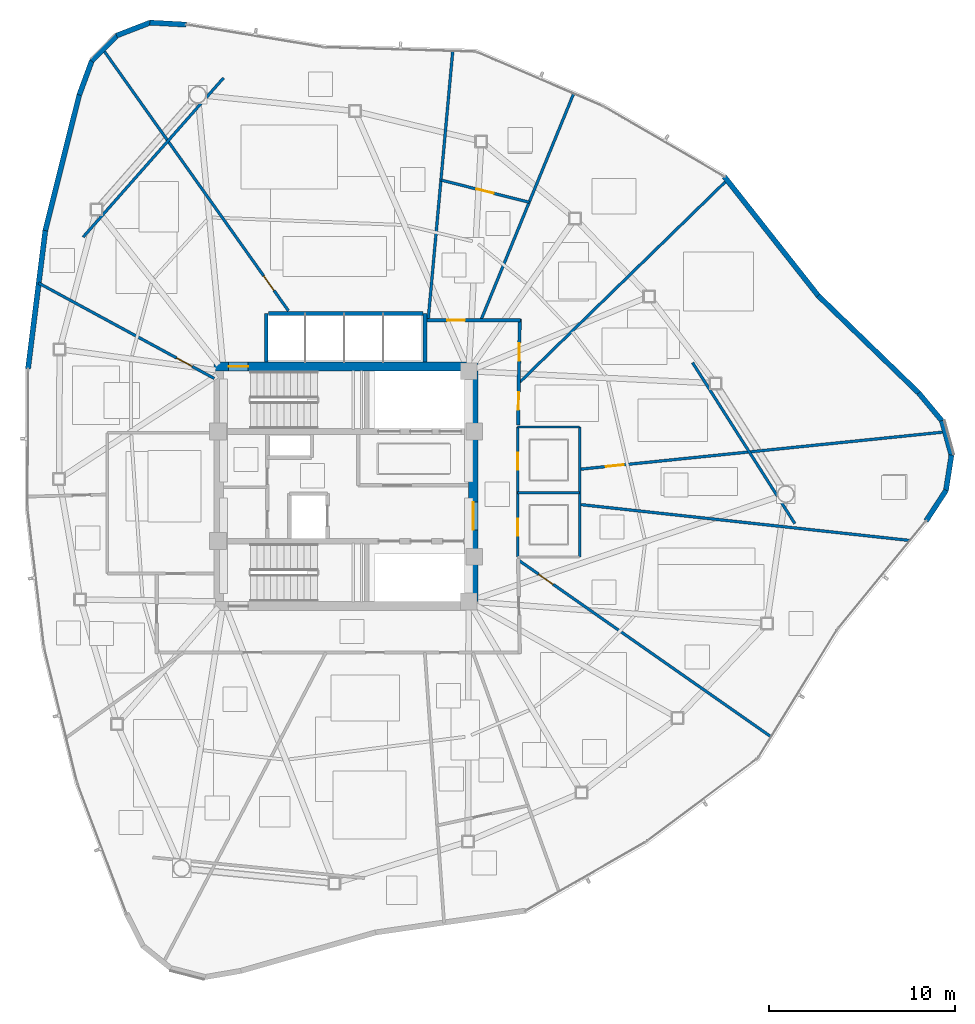
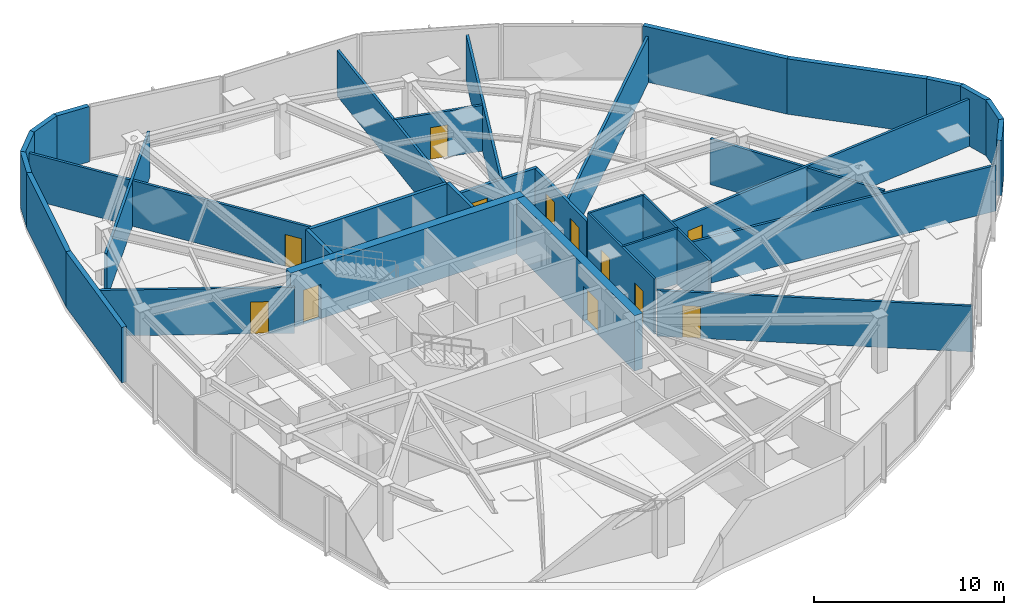
# One storey, part 13 of 18: 34 walls, 12 doors, 12 openings.
"""IFC4 building model written with IfcOpenShell, lengths in metres."""

from ifc_helpers import new_model, si_unit, direction, frame, frame_2d, origin, place, context, subcontext, project, spatial, rectangle, extrude, material, layer, layer_set, type_object, element, fill, save


model = new_model("IFC4")

# Units and contexts
model_context = context("Model", 3, precision=1e-05, world=origin(), true_north=direction((0.0, 1.0)))
body_context = subcontext(model_context, "Body", "Model", "MODEL_VIEW")
ifc_project = project(units=[si_unit("LENGTHUNIT", "METRE"), si_unit("AREAUNIT", "SQUARE_METRE"), si_unit("VOLUMEUNIT", "CUBIC_METRE"), si_unit("PLANEANGLEUNIT", "RADIAN"), si_unit("MASSUNIT", "GRAM", prefix="KILO")], contexts=[model_context])

# Site, building, storey
site_placement = place(None, origin())
site = spatial("IfcSite", under=ifc_project, at=site_placement, CompositionType="ELEMENT")
building_placement = place(site_placement, origin())
building = spatial("IfcBuilding", under=site, at=building_placement, Name="Tavelor Broadcast Tower", CompositionType="ELEMENT")
storey_placement = place(building_placement, frame((0.0, 0.0, 173.35009765625)))
storey = spatial("IfcBuildingStorey", under=building, at=storey_placement, Name="L41", CompositionType="ELEMENT", Elevation=173.35009765625)

# Wall, opening, door
ifc_material_1 = material(Name="Concrete C50/60", Category="concrete")
ifc_layer_1 = layer(ifc_material_1, 0.5)
ifc_layer_set_1 = layer_set([ifc_layer_1], Name="Concrete C50/60")
wall_type_1 = type_object("IfcWallType", Name="Core Shear Wall 500 mm", PredefinedType="SHEAR", material=ifc_layer_set_1)
wall_1_placement = place(storey_placement, frame((42.89990234375, 51.449951171875, 0.0), z_axis=(0.0, 0.0, 1.0), x_axis=(1.0, 0.0, 0.0)))
wall_1 = element("IfcWall", 1, at=wall_1_placement, inside=storey, type_object=wall_type_1, Name="L41 Central Core Shear Wall N", PredefinedType="SHEAR", context=body_context, shape_type="SweptSolid", body=[
    extrude(rectangle(XDim=14.2001953125, YDim=0.5, at=frame_2d((7.10009765625, 0.0))), origin(), (0.0, 0.0, 1.0), 3.5498046875),
])
opening_1_placement = place(wall_1_placement, frame((0.780029296875, 0.0, 0.0)))
opening_1 = element("IfcOpeningElement", 2, at=opening_1_placement, cuts=wall_1, Name="Opening DR11", PredefinedType="OPENING", context=body_context, shape_type="SweptSolid", body=[
    extrude(rectangle(XDim=1.050048828125, YDim=2.199951171875, at=frame_2d((0.52490234375, 1.10009765625))), frame((0.0, 0.260009765625, 0.0), z_axis=(0.0, -1.0, 0.0), x_axis=(1.0, 0.0, 0.0)), (0.0, 0.0, 1.0), 0.52001953125),
])
ifc_material_2 = material(Name="Steel S355", Category="steel")
door_type_1 = type_object("IfcDoorType", Name="Stair Core Fire Escape Door 1050x2200", OperationType="NOTDEFINED", PredefinedType="DOOR", material=ifc_material_2)
door_1_placement = place(opening_1_placement, origin())
door_1 = element("IfcDoor", 3, at=door_1_placement, inside=storey, type_object=door_type_1, Name="L41 Stair ST1 Protected Exit Door", OperationType="SINGLE_SWING_LEFT", OverallHeight=2.199951171875, OverallWidth=1.050048828125, PredefinedType="DOOR", context=body_context, shape_type="SweptSolid", body=[
    extrude(rectangle(XDim=1.050048828125, YDim=2.199951171875, at=frame_2d((0.52490234375, 1.10009765625))), frame((0.0, 0.02490234375, 0.0), z_axis=(0.0, -1.0, 0.0), x_axis=(1.0, 0.0, 0.0)), (0.0, 0.0, 1.0), 0.050048828125),
])
fill(opening_1, door_1)

wall_2_placement = place(storey_placement, frame((56.85009765625, 38.800048828125, 0.0), z_axis=(0.0, 0.0, 1.0), x_axis=(0.0, 1.0, 0.0)))
wall_2 = element("IfcWall", 4, at=wall_2_placement, inside=storey, type_object=wall_type_1, Name="L41 Central Core Shear Wall E", PredefinedType="SHEAR", context=body_context, shape_type="SweptSolid", body=[
    extrude(rectangle(XDim=12.39990234375, YDim=0.5, at=frame_2d((6.199951171875, 0.0))), origin(), (0.0, 0.0, 1.0), 3.5498046875),
])
opening_2_placement = place(wall_2_placement, frame((3.85009765625, 0.0, 0.0)))
opening_2 = element("IfcOpeningElement", 5, at=opening_2_placement, cuts=wall_2, Name="Opening DR14", PredefinedType="OPENING", context=body_context, shape_type="SweptSolid", body=[
    extrude(rectangle(XDim=1.5, YDim=2.199951171875, at=frame_2d((0.75, 1.10009765625))), frame((0.0, 0.260009765625, 0.0), z_axis=(0.0, -1.0, 0.0), x_axis=(1.0, 0.0, 0.0)), (0.0, 0.0, 1.0), 0.52001953125),
])
door_type_2 = type_object("IfcDoorType", Name="Firefighting Lobby Double Fire Door 1500x2200", OperationType="NOTDEFINED", PredefinedType="DOOR", material=ifc_material_2)
door_2_placement = place(opening_2_placement, origin())
door_2 = element("IfcDoor", 6, at=door_2_placement, inside=storey, type_object=door_type_2, Name="L41 Central Core Lobby Fire Door", OperationType="SINGLE_SWING_RIGHT", OverallHeight=2.199951171875, OverallWidth=1.5, PredefinedType="DOOR", context=body_context, shape_type="SweptSolid", body=[
    extrude(rectangle(XDim=1.5, YDim=2.199951171875, at=frame_2d((0.75, 1.10009765625))), frame((0.0, 0.02490234375, 0.0), z_axis=(0.0, -1.0, 0.0), x_axis=(1.0, 0.0, 0.0)), (0.0, 0.0, 1.0), 0.050048828125),
])
fill(opening_2, door_2)

ifc_material_3 = material(Name="Calcium Silicate Fire Board 180 mm", Category="gypsum")
ifc_layer_2 = layer(ifc_material_3, 0.179931640625)
ifc_layer_set_2 = layer_set([ifc_layer_2], Name="Calcium Silicate Fire Board 180 mm")
wall_type_2 = type_object("IfcWallType", Name="Fire-Rated Corridor Partition Wall 180 mm", PredefinedType="PARTITIONING", material=ifc_layer_set_2)
wall_3_placement = place(storey_placement, frame((54.300048828125, 53.949951171875, 0.0), z_axis=(0.0, 0.0, 1.0), x_axis=(1.0, 0.0, 0.0)))
wall_3 = element("IfcWall", 7, at=wall_3_placement, inside=storey, type_object=wall_type_2, Name="L41 Corridor Compartment Wall 01", PredefinedType="PARTITIONING", context=body_context, shape_type="SweptSolid", body=[
    extrude(rectangle(XDim=5.099853515625, YDim=0.179931640625, at=frame_2d((2.5498046875, 0.0))), origin(), (0.0, 0.0, 1.0), 2.934814453125),
])
opening_3_placement = place(wall_3_placement, frame((1.141845703125, 0.0, 0.0)))
opening_3 = element("IfcOpeningElement", 8, at=opening_3_placement, cuts=wall_3, Name="Opening DR18", PredefinedType="OPENING", context=body_context, shape_type="SweptSolid", body=[
    extrude(rectangle(XDim=0.949951171875, YDim=2.050048828125, at=frame_2d((0.47509765625, 1.02490234375))), frame((0.0, 0.10009765625, 0.0), z_axis=(0.0, -1.0, 0.0), x_axis=(1.0, 0.0, 0.0)), (0.0, 0.0, 1.0), 0.199951171875),
])
ifc_material_4 = material(Name="Timber Solid Core Hardwood", Category="wood")
door_type_3 = type_object("IfcDoorType", Name="Corridor Rated Compartment Door 950x2050", OperationType="NOTDEFINED", PredefinedType="DOOR", material=ifc_material_4)
door_3_placement = place(opening_3_placement, origin())
door_3 = element("IfcDoor", 9, at=door_3_placement, inside=storey, type_object=door_type_3, Name="L41 Documentary Research Study Door R14", OperationType="SINGLE_SWING_RIGHT", OverallHeight=2.050048828125, OverallWidth=0.949951171875, PredefinedType="DOOR", context=body_context, shape_type="SweptSolid", body=[
    extrude(rectangle(XDim=0.949951171875, YDim=2.050048828125, at=frame_2d((0.47509765625, 1.02490234375))), frame((0.0, 0.02490234375, 0.0), z_axis=(0.0, -1.0, 0.0), x_axis=(1.0, 0.0, 0.0)), (0.0, 0.0, 1.0), 0.050048828125),
])
fill(opening_3, door_3)

# Wall, openings, doors
wall_4_placement = place(storey_placement, frame((59.3505859375, 54.0, 0.0), z_axis=(0.0, 0.0, 1.0), x_axis=(-0.014903899768, -0.999888930718, 0.0)))
wall_4 = element("IfcWall", 10, at=wall_4_placement, inside=storey, type_object=wall_type_2, Name="L41 Corridor Compartment Wall 02", PredefinedType="PARTITIONING", context=body_context, shape_type="SweptSolid", body=[
    extrude(rectangle(XDim=5.70068359375, YDim=0.179931640625, at=frame_2d((2.850341796875, 0.0))), origin(), (0.0, 0.0, 1.0), 2.934814453125),
])
opening_4_placement = place(wall_4_placement, frame((1.29248046875, 0.0, 0.0)))
opening_4 = element("IfcOpeningElement", 11, at=opening_4_placement, cuts=wall_4, Name="Opening DR18", PredefinedType="OPENING", context=body_context, shape_type="SweptSolid", body=[
    extrude(rectangle(XDim=0.949951171875, YDim=2.050048828125, at=frame_2d((0.47509765625, 1.02490234375))), frame((0.0, 0.10009765625, 0.0), z_axis=(0.0, -1.0, 0.0), x_axis=(1.0, 0.0, 0.0)), (0.0, 0.0, 1.0), 0.199951171875),
])
opening_5_placement = place(wall_4_placement, frame((3.92724609375, 0.0, 0.0)))
opening_5 = element("IfcOpeningElement", 12, at=opening_5_placement, cuts=wall_4, Name="Opening DR18", PredefinedType="OPENING", context=body_context, shape_type="SweptSolid", body=[
    extrude(rectangle(XDim=0.949951171875, YDim=2.050048828125, at=frame_2d((0.47509765625, 1.02490234375))), frame((0.0, 0.10009765625, 0.0), z_axis=(0.0, -1.0, 0.0), x_axis=(1.0, 0.0, 0.0)), (0.0, 0.0, 1.0), 0.199951171875),
])
door_4_placement = place(opening_4_placement, origin())
door_4 = element("IfcDoor", 13, at=door_4_placement, inside=storey, type_object=door_type_3, Name="L41 Newsroom Huddle Room Door R9", OperationType="SINGLE_SWING_LEFT", OverallHeight=2.050048828125, OverallWidth=0.949951171875, PredefinedType="DOOR", context=body_context, shape_type="SweptSolid", body=[
    extrude(rectangle(XDim=0.949951171875, YDim=2.050048828125, at=frame_2d((0.47509765625, 1.02490234375))), frame((0.0, 0.02490234375, 0.0), z_axis=(0.0, -1.0, 0.0), x_axis=(1.0, 0.0, 0.0)), (0.0, 0.0, 1.0), 0.050048828125),
])
fill(opening_4, door_4)
door_5_placement = place(opening_5_placement, origin())
door_5 = element("IfcDoor", 14, at=door_5_placement, inside=storey, type_object=door_type_3, Name="L41 Editorial Quiet Study Door R10", OperationType="SINGLE_SWING_RIGHT", OverallHeight=2.050048828125, OverallWidth=0.949951171875, PredefinedType="DOOR", context=body_context, shape_type="SweptSolid", body=[
    extrude(rectangle(XDim=0.949951171875, YDim=2.050048828125, at=frame_2d((0.47509765625, 1.02490234375))), frame((0.0, 0.02490234375, 0.0), z_axis=(0.0, -1.0, 0.0), x_axis=(1.0, 0.0, 0.0)), (0.0, 0.0, 1.0), 0.050048828125),
])
fill(opening_5, door_5)

# Walls
ifc_material_5 = material(Name="Precast Concrete C40/50", Category="concrete")
ifc_layer_3 = layer(ifc_material_5, 0.280029296875)
ifc_layer_set_3 = layer_set([ifc_layer_3], Name="Precast Concrete C40/50")
wall_type_3 = type_object("IfcWallType", Name="Insulated Precast Terracotta Facade Wall 280 mm", PredefinedType="STANDARD", material=ifc_layer_set_3)
wall_5_placement = place(storey_placement, frame((41.388671875, 69.861572265625, 0.0), z_axis=(0.0, 0.0, 1.0), x_axis=(-0.998486279367, 0.055001362847, 0.0)))
element("IfcWall", 15, at=wall_5_placement, inside=storey, type_object=wall_type_3, Name="L41 Rounded Corner Structural Cladding Pier 01", PredefinedType="STANDARD", context=body_context, shape_type="SweptSolid", body=[
    extrude(rectangle(XDim=1.9619140625, YDim=0.280029296875, at=frame_2d((0.98095703125, 0.0))), origin(), (0.0, 0.0, 1.0), 3.5498046875),
])
for number, where, z_axis, x_axis, name in (
    (16, (39.458740234375, 69.97412109375, 0.0), (0.0, 0.0, 1.0), (-0.932604798359, -0.360899279687, 0.0), "L41 Rounded Corner Structural Cladding Pier 02"),
    (17, (37.664306640625, 69.286376953125, 0.0), (0.0, 0.0, 1.0), (-0.701450699367, -0.712717978136, 0.0), "L41 Rounded Corner Structural Cladding Pier 03"),
):
    element("IfcWall", number, at=place(storey_placement, frame(where, z_axis=z_axis, x_axis=x_axis)), inside=storey, type_object=wall_type_3, Name=name, PredefinedType="STANDARD", context=body_context, shape_type="SweptSolid", body=[
        extrude(rectangle(XDim=1.9501953125, YDim=0.280029296875, at=frame_2d((0.97509765625, 0.0))), origin(), (0.0, 0.0, 1.0), 3.5498046875),
    ])
wall_6_placement = place(storey_placement, frame((36.31201171875, 67.92138671875, 0.0), z_axis=(0.0, 0.0, 1.0), x_axis=(-0.346141178647, -0.938182436654, 0.0)))
element("IfcWall", 18, at=wall_6_placement, inside=storey, type_object=wall_type_3, Name="L41 Rounded Corner Structural Cladding Pier 04", PredefinedType="STANDARD", context=body_context, shape_type="SweptSolid", body=[
    extrude(rectangle(XDim=1.972900390625, YDim=0.280029296875, at=frame_2d((0.986328125, 0.0))), origin(), (0.0, 0.0, 1.0), 3.5498046875),
])
wall_7_placement = place(storey_placement, frame((35.637939453125, 66.09912109375, 0.0), z_axis=(0.0, 0.0, 1.0), x_axis=(-0.243220113246, -0.969971121484, 0.0)))
element("IfcWall", 19, at=wall_7_placement, inside=storey, type_object=wall_type_3, Name="L41 Rounded Corner Structural Cladding Pier 05", PredefinedType="STANDARD", context=body_context, shape_type="SweptSolid", body=[
    extrude(rectangle(XDim=7.552490234375, YDim=0.280029296875, at=frame_2d((3.7763671875, 0.0))), origin(), (0.0, 0.0, 1.0), 3.5498046875),
])
wall_8_placement = place(storey_placement, frame((33.806640625, 58.802978515625, 0.0), z_axis=(0.0, 0.0, 1.0), x_axis=(-0.124038719528, -0.992277378588, 0.0)))
element("IfcWall", 20, at=wall_8_placement, inside=storey, type_object=wall_type_3, Name="L41 Rounded Corner Structural Cladding Pier 06", PredefinedType="STANDARD", context=body_context, shape_type="SweptSolid", body=[
    extrude(rectangle(XDim=7.54052734375, YDim=0.280029296875, at=frame_2d((3.770263671875, 0.0))), origin(), (0.0, 0.0, 1.0), 3.5498046875),
])
wall_9_placement = place(storey_placement, frame((81.236328125, 43.14453125, 0.0), z_axis=(0.0, 0.0, 1.0), x_axis=(0.546806704475, 0.837258877493, 0.0)))
element("IfcWall", 21, at=wall_9_placement, inside=storey, type_object=wall_type_3, Name="L41 Rounded Corner Structural Cladding Pier 21", PredefinedType="STANDARD", context=body_context, shape_type="SweptSolid", body=[
    extrude(rectangle(XDim=1.9619140625, YDim=0.280029296875, at=frame_2d((0.98095703125, 0.0))), origin(), (0.0, 0.0, 1.0), 3.5498046875),
])
for number, where, z_axis, x_axis, name in (
    (22, (82.298583984375, 44.759765625, 0.0), (0.0, 0.0, 1.0), (0.153853678719, 0.988093642093, 0.0), "L41 Rounded Corner Structural Cladding Pier 22"),
    (23, (82.600341796875, 46.657470703125, 0.0), (0.0, 0.0, 1.0), (-0.266410369489, 0.963859696755, 0.0), "L41 Rounded Corner Structural Cladding Pier 23"),
):
    element("IfcWall", number, at=place(storey_placement, frame(where, z_axis=z_axis, x_axis=x_axis)), inside=storey, type_object=wall_type_3, Name=name, PredefinedType="STANDARD", context=body_context, shape_type="SweptSolid", body=[
        extrude(rectangle(XDim=1.9501953125, YDim=0.280029296875, at=frame_2d((0.97509765625, 0.0))), origin(), (0.0, 0.0, 1.0), 3.5498046875),
    ])
wall_10_placement = place(storey_placement, frame((82.094482421875, 48.51123046875, 0.0), z_axis=(0.0, 0.0, 1.0), x_axis=(-0.639417235274, 0.768859934731, 0.0)))
element("IfcWall", 24, at=wall_10_placement, inside=storey, type_object=wall_type_3, Name="L41 Rounded Corner Structural Cladding Pier 24", PredefinedType="STANDARD", context=body_context, shape_type="SweptSolid", body=[
    extrude(rectangle(XDim=1.972900390625, YDim=0.280029296875, at=frame_2d((0.986328125, 0.0))), origin(), (0.0, 0.0, 1.0), 3.5498046875),
])
wall_11_placement = place(storey_placement, frame((80.853515625, 50.006103515625, 0.0), z_axis=(0.0, 0.0, 1.0), x_axis=(-0.718431079441, 0.695598148425, 0.0)))
element("IfcWall", 25, at=wall_11_placement, inside=storey, type_object=wall_type_3, Name="L41 Rounded Corner Structural Cladding Pier 25", PredefinedType="STANDARD", context=body_context, shape_type="SweptSolid", body=[
    extrude(rectangle(XDim=7.5703125, YDim=0.280029296875, at=frame_2d((3.78515625, 0.0))), origin(), (0.0, 0.0, 1.0), 3.5498046875),
])
wall_12_placement = place(storey_placement, frame((75.434814453125, 55.249755859375, 0.0), z_axis=(0.0, 0.0, 1.0), x_axis=(-0.619172220284, 0.785255220695, 0.0)))
element("IfcWall", 26, at=wall_12_placement, inside=storey, type_object=wall_type_3, Name="L41 Rounded Corner Structural Cladding Pier 26", PredefinedType="STANDARD", context=body_context, shape_type="SweptSolid", body=[
    extrude(rectangle(XDim=8.184814453125, YDim=0.280029296875, at=frame_2d((4.09228515625, 0.0))), origin(), (0.0, 0.0, 1.0), 3.5498046875),
])
ifc_material_6 = material(Name="Gypsum Acoustic Plasterboard 150 mm", Category="gypsum")
ifc_layer_4 = layer(ifc_material_6, 0.14990234375)
ifc_layer_set_4 = layer_set([ifc_layer_4], Name="Gypsum Acoustic Plasterboard 150 mm")
wall_type_4 = type_object("IfcWallType", Name="Interior Acoustic Partition Wall 150 mm", PredefinedType="PARTITIONING", material=ifc_layer_set_4)
wall_13_placement = place(storey_placement, frame((43.399658203125, 66.988525390625, 0.0), z_axis=(0.0, 0.0, 1.0), x_axis=(-0.661622343701, -0.749837231881, 0.0)))
element("IfcWall", 27, at=wall_13_placement, inside=storey, type_object=wall_type_4, Name="L41 Corner Tube Brace Furring Wall 1", PredefinedType="PARTITIONING", context=body_context, shape_type="SweptSolid", body=[
    extrude(rectangle(XDim=11.42724609375, YDim=0.14990234375, at=frame_2d((5.713623046875, 0.0))), origin(), (0.0, 0.0, 1.0), 2.934814453125),
])
wall_14_placement = place(storey_placement, frame((74.16259765625, 42.9931640625, 0.0), z_axis=(0.0, 0.0, 1.0), x_axis=(-0.53628142437, 0.844039237166, 0.0)))
element("IfcWall", 28, at=wall_14_placement, inside=storey, type_object=wall_type_4, Name="L41 Corner Tube Brace Furring Wall 3", PredefinedType="PARTITIONING", context=body_context, shape_type="SweptSolid", body=[
    extrude(rectangle(XDim=10.266845703125, YDim=0.14990234375, at=frame_2d((5.13330078125, 0.0))), origin(), (0.0, 0.0, 1.0), 2.934814453125),
])

# Wall, opening, door
wall_15_placement = place(storey_placement, frame((42.89990234375, 50.8095703125, 0.0), z_axis=(0.0, 0.0, 1.0), x_axis=(-0.878812674831, 0.477166933637, 0.0)))
wall_15 = element("IfcWall", 29, at=wall_15_placement, inside=storey, type_object=wall_type_4, Name="L41 Radial Compartment Wall 01", PredefinedType="PARTITIONING", context=body_context, shape_type="SweptSolid", body=[
    extrude(rectangle(XDim=10.76513671875, YDim=0.14990234375, at=frame_2d((5.382568359375, 0.0))), origin(), (0.0, 0.0, 1.0), 2.934814453125),
])
opening_6_placement = place(wall_15_placement, frame((1.35009765625, 0.0, 0.0)))
opening_6 = element("IfcOpeningElement", 30, at=opening_6_placement, cuts=wall_15, Name="Opening DR18", PredefinedType="OPENING", context=body_context, shape_type="SweptSolid", body=[
    extrude(rectangle(XDim=0.949951171875, YDim=2.050048828125, at=frame_2d((0.47509765625, 1.02490234375))), frame((0.0, 0.0849609375, 0.0), z_axis=(0.0, -1.0, 0.0), x_axis=(1.0, 0.0, 0.0)), (0.0, 0.0, 1.0), 0.169921875),
])
door_6_placement = place(opening_6_placement, origin())
door_6 = element("IfcDoor", 31, at=door_6_placement, inside=storey, type_object=door_type_3, Name="L41 Suite Connecting Door 6", OperationType="SINGLE_SWING_LEFT", OverallHeight=2.050048828125, OverallWidth=0.949951171875, PredefinedType="DOOR", context=body_context, shape_type="SweptSolid", body=[
    extrude(rectangle(XDim=0.949951171875, YDim=2.050048828125, at=frame_2d((0.47509765625, 1.02490234375))), frame((0.0, 0.02490234375, 0.0), z_axis=(0.0, -1.0, 0.0), x_axis=(1.0, 0.0, 0.0)), (0.0, 0.0, 1.0), 0.050048828125),
])
fill(opening_6, door_6)

wall_16_placement = place(storey_placement, frame((59.266845703125, 41.03662109375, 0.0), z_axis=(0.0, 0.0, 1.0), x_axis=(0.81945399116, -0.573144969769, 0.0)))
wall_16 = element("IfcWall", 32, at=wall_16_placement, inside=storey, type_object=wall_type_4, Name="L41 Radial Compartment Wall 07", PredefinedType="PARTITIONING", context=body_context, shape_type="SweptSolid", body=[
    extrude(rectangle(XDim=16.626220703125, YDim=0.14990234375, at=frame_2d((8.31298828125, 0.0))), origin(), (0.0, 0.0, 1.0), 2.934814453125),
])
opening_7_placement = place(wall_16_placement, frame((1.35009765625, 0.0, 0.0)))
opening_7 = element("IfcOpeningElement", 33, at=opening_7_placement, cuts=wall_16, Name="Opening DR18", PredefinedType="OPENING", context=body_context, shape_type="SweptSolid", body=[
    extrude(rectangle(XDim=0.949951171875, YDim=2.050048828125, at=frame_2d((0.47509765625, 1.02490234375))), frame((0.0, 0.0849609375, 0.0), z_axis=(0.0, -1.0, 0.0), x_axis=(1.0, 0.0, 0.0)), (0.0, 0.0, 1.0), 0.169921875),
])
door_7_placement = place(opening_7_placement, origin())
door_7 = element("IfcDoor", 34, at=door_7_placement, inside=storey, type_object=door_type_3, Name="L41 Suite Connecting Door 12", OperationType="SINGLE_SWING_LEFT", OverallHeight=2.050048828125, OverallWidth=0.949951171875, PredefinedType="DOOR", context=body_context, shape_type="SweptSolid", body=[
    extrude(rectangle(XDim=0.949951171875, YDim=2.050048828125, at=frame_2d((0.47509765625, 1.02490234375))), frame((0.0, 0.02490234375, 0.0), z_axis=(0.0, -1.0, 0.0), x_axis=(1.0, 0.0, 0.0)), (0.0, 0.0, 1.0), 0.050048828125),
])
fill(opening_7, door_7)

# Wall
wall_17_placement = place(storey_placement, frame((62.64990234375, 44.013671875, 0.0), z_axis=(0.0, 0.0, 1.0), x_axis=(0.994111645725, -0.108360674754, 0.0)))
element("IfcWall", 35, at=wall_17_placement, inside=storey, type_object=wall_type_4, Name="L41 Radial Compartment Wall 08", PredefinedType="PARTITIONING", context=body_context, shape_type="SweptSolid", body=[
    extrude(rectangle(XDim=17.832763671875, YDim=0.14990234375, at=frame_2d((8.91650390625, 0.0))), origin(), (0.0, 0.0, 1.0), 2.934814453125),
])

# Wall, opening, door
wall_18_placement = place(storey_placement, frame((62.64990234375, 45.9248046875, 0.0), z_axis=(0.0, 0.0, 1.0), x_axis=(0.994817894864, 0.10167278917, 0.0)))
wall_18 = element("IfcWall", 36, at=wall_18_placement, inside=storey, type_object=wall_type_4, Name="L41 Radial Compartment Wall 09", PredefinedType="PARTITIONING", context=body_context, shape_type="SweptSolid", body=[
    extrude(rectangle(XDim=19.711669921875, YDim=0.14990234375, at=frame_2d((9.85595703125, 0.0))), origin(), (0.0, 0.0, 1.0), 3.02490234375),
])
opening_8_placement = place(wall_18_placement, frame((1.35009765625, 0.0, 0.0)))
opening_8 = element("IfcOpeningElement", 37, at=opening_8_placement, cuts=wall_18, Name="Opening DR18", PredefinedType="OPENING", context=body_context, shape_type="SweptSolid", body=[
    extrude(rectangle(XDim=0.949951171875, YDim=2.050048828125, at=frame_2d((0.47509765625, 1.02490234375))), frame((0.0, 0.0849609375, 0.0), z_axis=(0.0, -1.0, 0.0), x_axis=(1.0, 0.0, 0.0)), (0.0, 0.0, 1.0), 0.169921875),
])
door_8_placement = place(opening_8_placement, origin())
door_8 = element("IfcDoor", 38, at=door_8_placement, inside=storey, type_object=door_type_3, Name="L41 Suite Connecting Door 11", OperationType="SINGLE_SWING_RIGHT", OverallHeight=2.050048828125, OverallWidth=0.949951171875, PredefinedType="DOOR", context=body_context, shape_type="SweptSolid", body=[
    extrude(rectangle(XDim=0.949951171875, YDim=2.050048828125, at=frame_2d((0.47509765625, 1.02490234375))), frame((0.0, 0.02490234375, 0.0), z_axis=(0.0, -1.0, 0.0), x_axis=(1.0, 0.0, 0.0)), (0.0, 0.0, 1.0), 0.050048828125),
])
fill(opening_8, door_8)

# Walls
wall_19_placement = place(storey_placement, frame((59.29931640625, 50.555908203125, 0.0), z_axis=(0.0, 0.0, 1.0), x_axis=(0.716060673245, 0.698038044975, 0.0)))
element("IfcWall", 39, at=wall_19_placement, inside=storey, type_object=wall_type_4, Name="L41 Radial Compartment Wall 10", PredefinedType="PARTITIONING", context=body_context, shape_type="SweptSolid", body=[
    extrude(rectangle(XDim=15.673095703125, YDim=0.14990234375, at=frame_2d((7.83642578125, 0.0))), origin(), (0.0, 0.0, 1.0), 2.934814453125),
])
wall_20_placement = place(storey_placement, frame((57.26220703125, 53.949951171875, 0.0), z_axis=(0.0, 0.0, 1.0), x_axis=(0.378711423927, 0.925514806682, 0.0)))
element("IfcWall", 40, at=wall_20_placement, inside=storey, type_object=wall_type_4, Name="L41 Radial Compartment Wall 11", PredefinedType="PARTITIONING", context=body_context, shape_type="SweptSolid", body=[
    extrude(rectangle(XDim=13.1865234375, YDim=0.14990234375, at=frame_2d((6.59326171875, 0.0))), origin(), (0.0, 0.0, 1.0), 3.02490234375),
])
wall_21_placement = place(storey_placement, frame((54.418212890625, 53.949951171875, 0.0), z_axis=(0.0, 0.0, 1.0), x_axis=(0.091045205829, 0.995846760549, 0.0)))
element("IfcWall", 41, at=wall_21_placement, inside=storey, type_object=wall_type_4, Name="L41 Radial Compartment Wall 12", PredefinedType="PARTITIONING", context=body_context, shape_type="SweptSolid", body=[
    extrude(rectangle(XDim=14.560791015625, YDim=0.14990234375, at=frame_2d((7.2802734375, 0.0))), origin(), (0.0, 0.0, 1.0), 2.934814453125),
])

# Wall, opening, door
wall_22_placement = place(storey_placement, frame((46.8955078125, 54.449951171875, 0.0), z_axis=(0.0, 0.0, 1.0), x_axis=(-0.578632017692, 0.815588737111, 0.0)))
wall_22 = element("IfcWall", 42, at=wall_22_placement, inside=storey, type_object=wall_type_4, Name="L41 Radial Compartment Wall 13", PredefinedType="PARTITIONING", context=body_context, shape_type="SweptSolid", body=[
    extrude(rectangle(XDim=17.263916015625, YDim=0.14990234375, at=frame_2d((8.6318359375, 0.0))), origin(), (0.0, 0.0, 1.0), 2.934814453125),
])
opening_9_placement = place(wall_22_placement, frame((1.35009765625, 0.0, 0.0)))
opening_9 = element("IfcOpeningElement", 43, at=opening_9_placement, cuts=wall_22, Name="Opening DR18", PredefinedType="OPENING", context=body_context, shape_type="SweptSolid", body=[
    extrude(rectangle(XDim=0.949951171875, YDim=2.050048828125, at=frame_2d((0.47509765625, 1.02490234375))), frame((0.0, 0.0849609375, 0.0), z_axis=(0.0, -1.0, 0.0), x_axis=(1.0, 0.0, 0.0)), (0.0, 0.0, 1.0), 0.169921875),
])
door_9_placement = place(opening_9_placement, origin())
door_9 = element("IfcDoor", 44, at=door_9_placement, inside=storey, type_object=door_type_3, Name="L41 Suite Connecting Door 7", OperationType="SINGLE_SWING_LEFT", OverallHeight=2.050048828125, OverallWidth=0.949951171875, PredefinedType="DOOR", context=body_context, shape_type="SweptSolid", body=[
    extrude(rectangle(XDim=0.949951171875, YDim=2.050048828125, at=frame_2d((0.47509765625, 1.02490234375))), frame((0.0, 0.02490234375, 0.0), z_axis=(0.0, -1.0, 0.0), x_axis=(1.0, 0.0, 0.0)), (0.0, 0.0, 1.0), 0.050048828125),
])
fill(opening_9, door_9)

wall_23_placement = place(storey_placement, frame((59.859130859375, 60.29638671875, 0.0), z_axis=(0.0, 0.0, 1.0), x_axis=(-0.969866322162, 0.243637675935, 0.0)))
wall_23 = element("IfcWall", 45, at=wall_23_placement, inside=storey, type_object=wall_type_4, Name="L41 Suite Chord Partition Wall 02", PredefinedType="PARTITIONING", context=body_context, shape_type="SweptSolid", body=[
    extrude(rectangle(XDim=4.899169921875, YDim=0.14990234375, at=frame_2d((2.44970703125, 0.0))), origin(), (0.0, 0.0, 1.0), 2.934814453125),
])
opening_10_placement = place(wall_23_placement, frame((1.974609375, 0.0, 0.0)))
opening_10 = element("IfcOpeningElement", 46, at=opening_10_placement, cuts=wall_23, Name="Opening DR23", PredefinedType="OPENING", context=body_context, shape_type="SweptSolid", body=[
    extrude(rectangle(XDim=0.949951171875, YDim=2.050048828125, at=frame_2d((0.47509765625, 1.02490234375))), frame((0.0, 0.0849609375, 0.0), z_axis=(0.0, -1.0, 0.0), x_axis=(1.0, 0.0, 0.0)), (0.0, 0.0, 1.0), 0.169921875),
])
door_type_4 = type_object("IfcDoorType", Name="Editorial Room Acoustic Door 950x2050", OperationType="NOTDEFINED", PredefinedType="DOOR", material=ifc_material_4)
door_10_placement = place(opening_10_placement, origin())
door_10 = element("IfcDoor", 47, at=door_10_placement, inside=storey, type_object=door_type_4, Name="L41 Outer Suite Partition Door 2", OperationType="SINGLE_SWING_LEFT", OverallHeight=2.050048828125, OverallWidth=0.949951171875, PredefinedType="DOOR", context=body_context, shape_type="SweptSolid", body=[
    extrude(rectangle(XDim=0.949951171875, YDim=2.050048828125, at=frame_2d((0.47509765625, 1.02490234375))), frame((0.0, 0.02490234375, 0.0), z_axis=(0.0, -1.0, 0.0), x_axis=(1.0, 0.0, 0.0)), (0.0, 0.0, 1.0), 0.050048828125),
])
fill(opening_10, door_10)

# Walls
ifc_material_7 = material(Name="Concrete Blockwork 200 mm", Category="masonry")
ifc_layer_5 = layer(ifc_material_7, 0.199951171875)
ifc_layer_set_5 = layer_set([ifc_layer_5], Name="Concrete Blockwork 200 mm")
wall_type_5 = type_object("IfcWallType", Name="Lift Hoistway Rated Front Wall 200 mm", PredefinedType="PARTITIONING", material=ifc_layer_set_5)
wall_24_placement = place(storey_placement, frame((45.820068359375, 54.300048828125, 0.0), z_axis=(0.0, 0.0, 1.0), x_axis=(1.0, 0.0, 0.0)))
element("IfcWall", 48, at=wall_24_placement, inside=storey, type_object=wall_type_5, Name="L41 High-Rise Lift Hoistway Front Wall", PredefinedType="PARTITIONING", context=body_context, shape_type="SweptSolid", body=[
    extrude(rectangle(XDim=8.309814453125, YDim=0.199951171875, at=frame_2d((4.15478515625, 0.0))), origin(), (0.0, 0.0, 1.0), 3.5498046875),
])
ifc_layer_6 = layer(ifc_material_7, 0.199951171875)
ifc_layer_set_6 = layer_set([ifc_layer_6], Name="Concrete Blockwork 200 mm")
wall_type_6 = type_object("IfcWallType", Name="Lift and Riser Shaft Enclosure Wall 200 mm", PredefinedType="PARTITIONING", material=ifc_layer_set_6)
for number, where, z_axis, x_axis, name in (
    (49, (45.699951171875, 51.699951171875, 0.0), (0.0, 0.0, 1.0), (0.0, 1.0, 0.0), "L41 High-Rise Lift Shaft West Wall"),
    (50, (54.25, 51.699951171875, 0.0), (0.0, 0.0, 1.0), (0.0, 1.0, 0.0), "L41 High-Rise Lift Shaft East Wall"),
):
    element("IfcWall", number, at=place(storey_placement, frame(where, z_axis=z_axis, x_axis=x_axis)), inside=storey, type_object=wall_type_6, Name=name, PredefinedType="PARTITIONING", context=body_context, shape_type="SweptSolid", body=[
        extrude(rectangle(XDim=2.60009765625, YDim=0.199951171875, at=frame_2d((1.300048828125, 0.0))), origin(), (0.0, 0.0, 1.0), 3.5498046875),
    ])

# Wall, openings, doors
ifc_material_8 = material(Name="Moisture-Resistant Plasterboard 120 mm", Category="gypsum")
ifc_layer_7 = layer(ifc_material_8, 0.1201171875)
ifc_layer_set_7 = layer_set([ifc_layer_7], Name="Moisture-Resistant Plasterboard 120 mm")
wall_type_7 = type_object("IfcWallType", Name="Moisture-Resistant Wet-Room Partition 120 mm", PredefinedType="PARTITIONING", material=ifc_layer_set_7)
wall_25_placement = place(storey_placement, frame((59.239990234375, 41.199951171875, 0.0), z_axis=(0.0, 0.0, 1.0), x_axis=(0.0, 1.0, 0.0)))
wall_25 = element("IfcWall", 51, at=wall_25_placement, inside=storey, type_object=wall_type_7, Name="L41 Floor Washrooms West Wall", PredefinedType="PARTITIONING", context=body_context, shape_type="SweptSolid", body=[
    extrude(rectangle(XDim=7.0, YDim=0.1201171875, at=frame_2d((3.5, 0.0))), origin(), (0.0, 0.0, 1.0), 3.5498046875),
])
opening_11_placement = place(wall_25_placement, frame((1.14990234375, 0.0, 0.0)))
opening_11 = element("IfcOpeningElement", 52, at=opening_11_placement, cuts=wall_25, Name="Opening DR32", PredefinedType="OPENING", context=body_context, shape_type="SweptSolid", body=[
    extrude(rectangle(XDim=0.89990234375, YDim=2.050048828125, at=frame_2d((0.449951171875, 1.02490234375))), frame((0.0, 0.070068359375, 0.0), z_axis=(0.0, -1.0, 0.0), x_axis=(1.0, 0.0, 0.0)), (0.0, 0.0, 1.0), 0.14013671875),
])
opening_12_placement = place(wall_25_placement, frame((4.699951171875, 0.0, 0.0)))
opening_12 = element("IfcOpeningElement", 53, at=opening_12_placement, cuts=wall_25, Name="Opening DR32", PredefinedType="OPENING", context=body_context, shape_type="SweptSolid", body=[
    extrude(rectangle(XDim=0.89990234375, YDim=2.050048828125, at=frame_2d((0.449951171875, 1.02490234375))), frame((0.0, 0.070068359375, 0.0), z_axis=(0.0, -1.0, 0.0), x_axis=(1.0, 0.0, 0.0)), (0.0, 0.0, 1.0), 0.14013671875),
])
door_type_5 = type_object("IfcDoorType", Name="Accessible Washroom Door 900x2050", OperationType="NOTDEFINED", PredefinedType="DOOR", material=ifc_material_4)
door_11_placement = place(opening_11_placement, origin())
door_11 = element("IfcDoor", 54, at=door_11_placement, inside=storey, type_object=door_type_5, Name="L41 Accessible WC Door", OperationType="SINGLE_SWING_LEFT", OverallHeight=2.050048828125, OverallWidth=0.89990234375, PredefinedType="DOOR", context=body_context, shape_type="SweptSolid", body=[
    extrude(rectangle(XDim=0.89990234375, YDim=2.050048828125, at=frame_2d((0.449951171875, 1.02490234375))), frame((0.0, 0.02490234375, 0.0), z_axis=(0.0, -1.0, 0.0), x_axis=(1.0, 0.0, 0.0)), (0.0, 0.0, 1.0), 0.050048828125),
])
fill(opening_11, door_11)
door_12_placement = place(opening_12_placement, origin())
door_12 = element("IfcDoor", 55, at=door_12_placement, inside=storey, type_object=door_type_5, Name="L41 Staff Washroom WC Door", OperationType="SINGLE_SWING_RIGHT", OverallHeight=2.050048828125, OverallWidth=0.89990234375, PredefinedType="DOOR", context=body_context, shape_type="SweptSolid", body=[
    extrude(rectangle(XDim=0.89990234375, YDim=2.050048828125, at=frame_2d((0.449951171875, 1.02490234375))), frame((0.0, 0.02490234375, 0.0), z_axis=(0.0, -1.0, 0.0), x_axis=(1.0, 0.0, 0.0)), (0.0, 0.0, 1.0), 0.050048828125),
])
fill(opening_12, door_12)

# Walls
for number, where, z_axis, x_axis, name in (
    (56, (59.239990234375, 44.64990234375, 0.0), (0.0, 0.0, 1.0), (1.0, 0.0, 0.0), "L41 Floor Washrooms Divider Wall"),
    (57, (59.239990234375, 48.199951171875, 0.0), (0.0, 0.0, 1.0), (1.0, 0.0, 0.0), "L41 Floor Washrooms North Wall"),
):
    element("IfcWall", number, at=place(storey_placement, frame(where, z_axis=z_axis, x_axis=x_axis)), inside=storey, type_object=wall_type_7, Name=name, PredefinedType="PARTITIONING", context=body_context, shape_type="SweptSolid", body=[
        extrude(rectangle(XDim=3.340087890625, YDim=0.1201171875, at=frame_2d((1.669921875, 0.0))), origin(), (0.0, 0.0, 1.0), 3.5498046875),
    ])
wall_26_placement = place(storey_placement, frame((62.580078125, 41.199951171875, 0.0), z_axis=(0.0, 0.0, 1.0), x_axis=(0.0, 1.0, 0.0)))
element("IfcWall", 58, at=wall_26_placement, inside=storey, type_object=wall_type_7, Name="L41 Floor Washrooms East Wall", PredefinedType="PARTITIONING", context=body_context, shape_type="SweptSolid", body=[
    extrude(rectangle(XDim=7.0, YDim=0.1201171875, at=frame_2d((3.5, 0.0))), origin(), (0.0, 0.0, 1.0), 3.5498046875),
])

save(model, "model.ifc")
